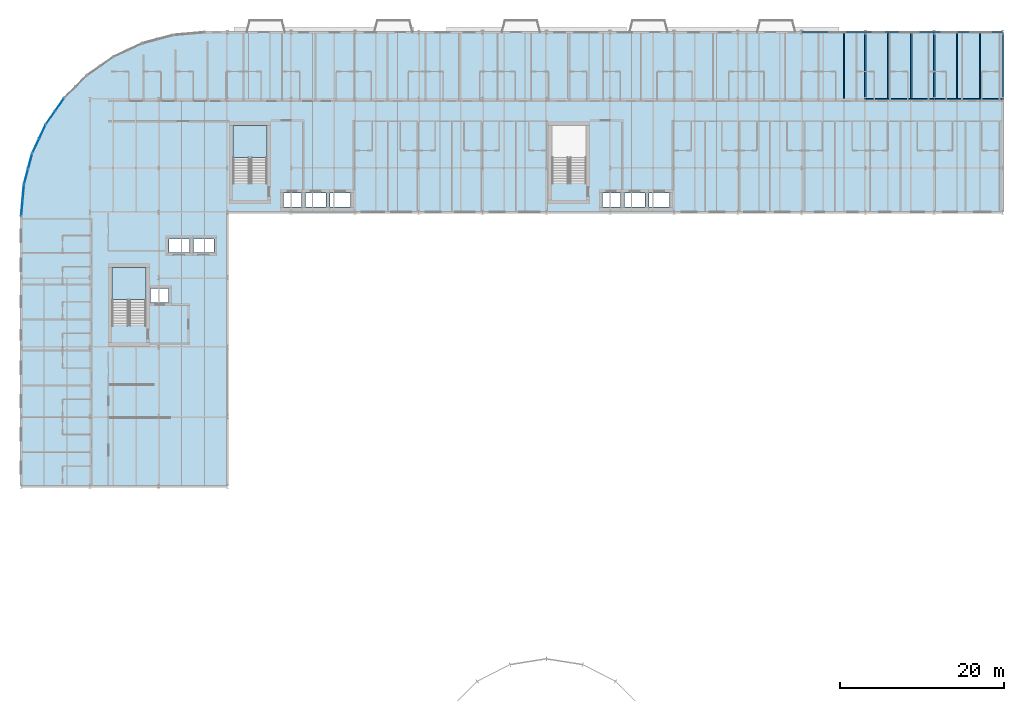
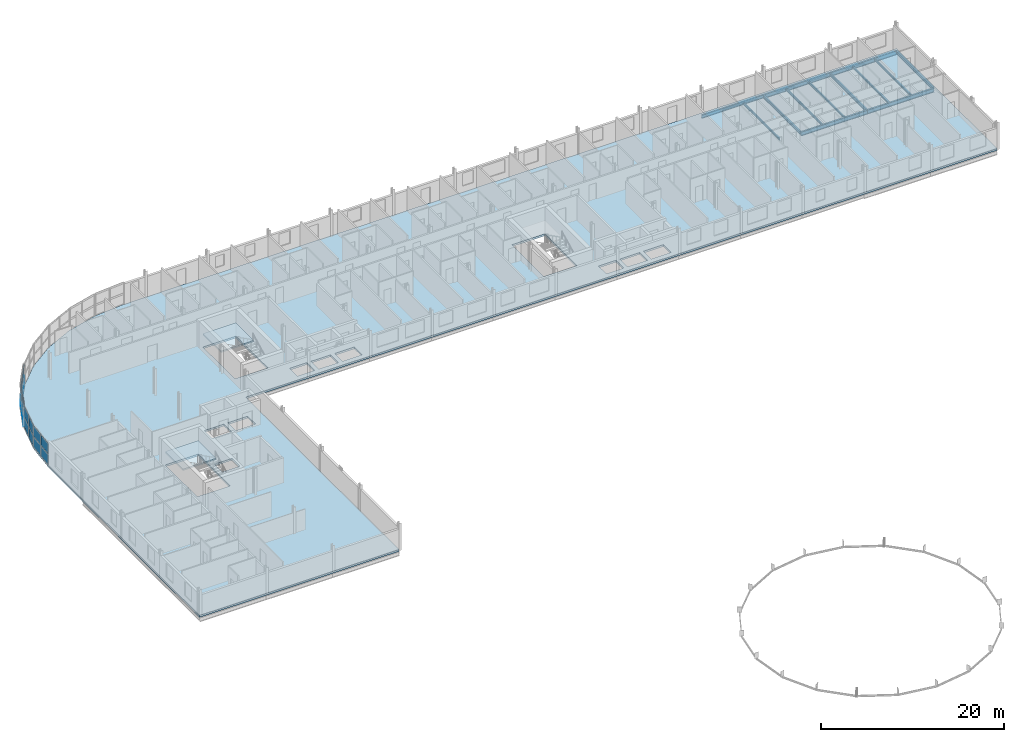
# One storey, part 14 of 36: 16 plates, 13 beams, 3 slabs, 6 elements without a shape of their own.
"""IFC4 building model written with IfcOpenShell, lengths in metres."""

from ifc_helpers import new_model, si_unit, direction, frame, origin, origin_2d, place, context, subcontext, project, spatial, polyline, rectangle, i_section, outline, extrude, material, layer, layer_set, material_profile, profile_set, type_object, element, aggregate, save


model = new_model("IFC4")

# Units and contexts
model_context = context("Model", 3, precision=1e-05, world=origin(), true_north=direction((0.0, 1.0)))
body_context = subcontext(model_context, "Body", "Model", "MODEL_VIEW")
ifc_project = project(units=[si_unit("LENGTHUNIT", "METRE"), si_unit("AREAUNIT", "SQUARE_METRE"), si_unit("VOLUMEUNIT", "CUBIC_METRE"), si_unit("PLANEANGLEUNIT", "RADIAN"), si_unit("MASSUNIT", "GRAM", prefix="KILO")], contexts=[model_context])

# Site, building, storey
site_placement = place(None, origin())
site = spatial("IfcSite", under=ifc_project, at=site_placement, CompositionType="ELEMENT")
building_placement = place(site_placement, origin())
building = spatial("IfcBuilding", under=site, at=building_placement, Name="Sefraquen Railside Congress Hotel", CompositionType="ELEMENT")
storey_placement = place(building_placement, frame((0.0, 0.0, 28.199951171875)))
storey = spatial("IfcBuildingStorey", under=building, at=storey_placement, Name="L06", CompositionType="ELEMENT", Elevation=28.199951171875)

# Beams
ifc_material_1 = material(Name="Steel S355JR", Category="steel")
ifc_material_profile_1 = material_profile(ifc_material_1, i_section(OverallWidth=0.179931640625, OverallDepth=0.39990234375, WebThickness=0.008544921875, FlangeThickness=0.013427734375, FilletRadius=0.02099609375, at=origin_2d()), Name="IPE 400")
ifc_profile_set_1 = profile_set([ifc_material_profile_1], Name="Steel S355JR")
beam_type_1 = type_object("IfcBeamType", Name="TB-BM-400I", PredefinedType="BEAM", material=ifc_profile_set_1)
for number, where, z_axis, x_axis, name in (
    (1, (103.199951171875, 109.800048828125, -0.4599609375), (0.0, 1.0, 0.0), (-1.0, 0.0, 0.0), "Floor beam BM-L06-1700"),
    (2, (111.60009765625, 109.800048828125, -0.4599609375), (0.0, 1.0, 0.0), (-1.0, 0.0, 0.0), "Floor beam BM-L06-1703"),
    (3, (120.0, 109.800048828125, -0.4599609375), (0.0, 1.0, 0.0), (-1.0, 0.0, 0.0), "Floor beam BM-L06-1706"),
):
    element("IfcBeam", number, at=place(storey_placement, frame(where, z_axis=z_axis, x_axis=x_axis)), inside=storey, type_object=beam_type_1, Name=name, PredefinedType="BEAM", context=body_context, shape_type="SweptSolid", body=[
        extrude(i_section(OverallWidth=0.179931640625, OverallDepth=0.39990234375, WebThickness=0.008544921875, FlangeThickness=0.013427734375, FilletRadius=0.02099609375, at=origin_2d()), origin(), (0.0, 0.0, 1.0), 8.199951171875),
    ])
ifc_material_profile_2 = material_profile(ifc_material_1, i_section(OverallWidth=0.18994140625, OverallDepth=0.449951171875, WebThickness=0.009521484375, FlangeThickness=0.0146484375, FilletRadius=0.02099609375, at=origin_2d()), Name="IPE 450")
ifc_profile_set_2 = profile_set([ifc_material_profile_2], Name="Steel S355JR")
beam_type_2 = type_object("IfcBeamType", Name="TB-BM-450", PredefinedType="BEAM", material=ifc_profile_set_2)
beam_1_placement = place(storey_placement, frame((95.39990234375, 118.0, -0.48486328125), z_axis=(1.0, 0.0, 0.0), x_axis=(0.0, 1.0, 0.0)))
element("IfcBeam", 4, at=beam_1_placement, inside=storey, type_object=beam_type_2, Name="Primary girder BM-L06-1646", PredefinedType="BEAM", context=body_context, shape_type="SweptSolid", body=[
    extrude(i_section(OverallWidth=0.18994140625, OverallDepth=0.449951171875, WebThickness=0.009521484375, FlangeThickness=0.0146484375, FilletRadius=0.02099609375, at=origin_2d()), origin(), (0.0, 0.0, 1.0), 7.800048828125),
])
ifc_material_profile_3 = material_profile(ifc_material_1, i_section(OverallWidth=0.2099609375, OverallDepth=0.550048828125, WebThickness=0.010986328125, FlangeThickness=0.01708984375, FilletRadius=0.02392578125, at=origin_2d()), Name="IPE 550")
ifc_profile_set_3 = profile_set([ifc_material_profile_3], Name="Steel S355JR")
beam_type_3 = type_object("IfcBeamType", Name="TB-GIR-550", PredefinedType="T_BEAM", material=ifc_profile_set_3)
beam_2_placement = place(storey_placement, frame((103.199951171875, 109.800048828125, -0.534912109375), z_axis=(1.0, 0.0, 0.0), x_axis=(0.0, 1.0, 0.0)))
element("IfcBeam", 5, at=beam_2_placement, inside=storey, type_object=beam_type_3, Name="Primary girder BM-L06-1635", PredefinedType="T_BEAM", context=body_context, shape_type="SweptSolid", body=[
    extrude(i_section(OverallWidth=0.2099609375, OverallDepth=0.550048828125, WebThickness=0.010986328125, FlangeThickness=0.01708984375, FilletRadius=0.02392578125, at=origin_2d()), origin(), (0.0, 0.0, 1.0), 8.400146484375),
])
beam_3_placement = place(storey_placement, frame((111.60009765625, 109.800048828125, -0.534912109375), z_axis=(1.0, 0.0, 0.0), x_axis=(0.0, 1.0, 0.0)))
element("IfcBeam", 6, at=beam_3_placement, inside=storey, type_object=beam_type_3, Name="Primary girder BM-L06-1636", PredefinedType="T_BEAM", context=body_context, shape_type="SweptSolid", body=[
    extrude(i_section(OverallWidth=0.2099609375, OverallDepth=0.550048828125, WebThickness=0.010986328125, FlangeThickness=0.01708984375, FilletRadius=0.02392578125, at=origin_2d()), origin(), (0.0, 0.0, 1.0), 8.39990234375),
])
beam_4_placement = place(storey_placement, frame((103.199951171875, 118.0, -0.534912109375), z_axis=(1.0, 0.0, 0.0), x_axis=(0.0, 1.0, 0.0)))
element("IfcBeam", 7, at=beam_4_placement, inside=storey, type_object=beam_type_3, Name="Primary girder BM-L06-1647", PredefinedType="T_BEAM", context=body_context, shape_type="SweptSolid", body=[
    extrude(i_section(OverallWidth=0.2099609375, OverallDepth=0.550048828125, WebThickness=0.010986328125, FlangeThickness=0.01708984375, FilletRadius=0.02392578125, at=origin_2d()), origin(), (0.0, 0.0, 1.0), 8.400146484375),
])
beam_5_placement = place(storey_placement, frame((111.60009765625, 118.0, -0.534912109375), z_axis=(1.0, 0.0, 0.0), x_axis=(0.0, 1.0, 0.0)))
element("IfcBeam", 8, at=beam_5_placement, inside=storey, type_object=beam_type_3, Name="Primary girder BM-L06-1648", PredefinedType="T_BEAM", context=body_context, shape_type="SweptSolid", body=[
    extrude(i_section(OverallWidth=0.2099609375, OverallDepth=0.550048828125, WebThickness=0.010986328125, FlangeThickness=0.01708984375, FilletRadius=0.02392578125, at=origin_2d()), origin(), (0.0, 0.0, 1.0), 8.39990234375),
])
ifc_material_profile_4 = material_profile(ifc_material_1, i_section(OverallWidth=0.14990234375, OverallDepth=0.300048828125, WebThickness=0.007080078125, FlangeThickness=0.0107421875, FilletRadius=0.014892578125, at=origin_2d()), Name="IPE 300")
ifc_profile_set_4 = profile_set([ifc_material_profile_4], Name="Steel S355JR")
beam_type_4 = type_object("IfcBeamType", Name="TB-JST-300", PredefinedType="JOIST", material=ifc_profile_set_4)
beam_6_placement = place(storey_placement, frame((100.60009765625, 109.875, -0.409912109375), z_axis=(0.0, 1.0, 0.0), x_axis=(-1.0, 0.0, 0.0)))
element("IfcBeam", 9, at=beam_6_placement, inside=storey, type_object=beam_type_4, Name="Composite floor joist BM-L06-J1131", PredefinedType="JOIST", context=body_context, shape_type="SweptSolid", body=[
    extrude(i_section(OverallWidth=0.14990234375, OverallDepth=0.300048828125, WebThickness=0.007080078125, FlangeThickness=0.0107421875, FilletRadius=0.014892578125, at=origin_2d()), origin(), (0.0, 0.0, 1.0), 8.050048828125),
])
for number, where, z_axis, x_axis, name in (
    (10, (106.0, 109.885009765625, -0.409912109375), (0.0, 1.0, 0.0), (-1.0, 0.0, 0.0), "Composite floor joist BM-L06-J1136"),
    (11, (108.800048828125, 109.885009765625, -0.409912109375), (0.0, 1.0, 0.0), (-1.0, 0.0, 0.0), "Composite floor joist BM-L06-J1137"),
    (12, (114.39990234375, 109.885009765625, -0.409912109375), (0.0, 1.0, 0.0), (-1.0, 0.0, 0.0), "Composite floor joist BM-L06-J1142"),
    (13, (117.199951171875, 109.885009765625, -0.409912109375), (0.0, 1.0, 0.0), (-1.0, 0.0, 0.0), "Composite floor joist BM-L06-J1143"),
):
    element("IfcBeam", number, at=place(storey_placement, frame(where, z_axis=z_axis, x_axis=x_axis)), inside=storey, type_object=beam_type_4, Name=name, PredefinedType="JOIST", context=body_context, shape_type="SweptSolid", body=[
        extrude(i_section(OverallWidth=0.14990234375, OverallDepth=0.300048828125, WebThickness=0.007080078125, FlangeThickness=0.0107421875, FilletRadius=0.014892578125, at=origin_2d()), origin(), (0.0, 0.0, 1.0), 8.030029296875),
    ])

# Curtain wall, plates
ifc_material_2 = material(Name="Thermally broken anodised aluminium and low-E double glazing", Category="aluminium")
ifc_layer_1 = layer(ifc_material_2, 0.199951171875)
ifc_layer_set_1 = layer_set([ifc_layer_1], Name="Thermally broken anodised aluminium and low-E double glazing")
curtain_wall_type_1 = type_object("IfcCurtainWallType", Name="TCW-UCW-28", PredefinedType="USERDEFINED", material=ifc_layer_set_1)
curtain_wall_1_placement = place(storey_placement, origin())
curtain_wall_1 = element("IfcCurtainWall", 14, at=curtain_wall_1_placement, inside=storey, type_object=curtain_wall_type_1, Name="Rotunda L06 curved curtain wall facet 6", ObjectType="UNITISED CURTAIN WALL", PredefinedType="USERDEFINED")
ifc_material_3 = material(Name="Solar-control low-E double glazing", Category="glass")
ifc_layer_2 = layer(ifc_material_3, 0.02392578125)
ifc_layer_set_2 = layer_set([ifc_layer_2], Name="Solar-control low-E double glazing")
plate_type_1 = type_object("IfcPlateType", Name="TP-CWP-01", PredefinedType="CURTAIN_PANEL", material=ifc_layer_set_2)
plate_1_placement = place(storey_placement, frame((4.690185546875, 109.14306640625, 0.0400390625), z_axis=(0.0, 0.0, 1.0), x_axis=(-0.573605029802, -0.819132022195, 0.0)))
plate_1 = element("IfcPlate", 15, at=plate_1_placement, type_object=plate_type_1, Name="CW-L06-ROT-06 panel 1.1", PredefinedType="CURTAIN_PANEL", context=body_context, shape_type="SweptSolid", body=[
    extrude(rectangle(XDim=1.8310546875, YDim=0.02392578125, at=origin_2d()), origin(), (0.0, 0.0, 1.0), 1.375),
])
plate_2_placement = place(storey_placement, frame((3.58837890625, 107.569580078125, 0.0400390625), z_axis=(0.0, 0.0, 1.0), x_axis=(-0.573605029802, -0.819132022195, 0.0)))
plate_2 = element("IfcPlate", 16, at=plate_2_placement, type_object=plate_type_1, Name="CW-L06-ROT-06 panel 1.2", PredefinedType="CURTAIN_PANEL", context=body_context, shape_type="SweptSolid", body=[
    extrude(rectangle(XDim=1.8310546875, YDim=0.02392578125, at=origin_2d()), origin(), (0.0, 0.0, 1.0), 1.375),
])

ifc_layer_3 = layer(ifc_material_2, 0.199951171875)
ifc_layer_set_3 = layer_set([ifc_layer_3], Name="Thermally broken anodised aluminium and low-E double glazing")
curtain_wall_type_2 = type_object("IfcCurtainWallType", Name="TCW-UCW-29", PredefinedType="USERDEFINED", material=ifc_layer_set_3)
curtain_wall_2_placement = place(storey_placement, origin())
curtain_wall_2 = element("IfcCurtainWall", 17, at=curtain_wall_2_placement, inside=storey, type_object=curtain_wall_type_2, Name="Rotunda L06 curved curtain wall facet 7", ObjectType="UNITISED CURTAIN WALL", PredefinedType="USERDEFINED")
plate_3_placement = place(storey_placement, frame((2.591552734375, 105.84326171875, 0.0400390625), z_axis=(0.0, 0.0, 1.0), x_axis=(-0.422634079731, -0.906300410818, 0.0)))
plate_3 = element("IfcPlate", 18, at=plate_3_placement, type_object=plate_type_1, Name="CW-L06-ROT-07 panel 1.1", PredefinedType="CURTAIN_PANEL", context=body_context, shape_type="SweptSolid", body=[
    extrude(rectangle(XDim=1.830810546875, YDim=0.02392578125, at=origin_2d()), origin(), (0.0, 0.0, 1.0), 1.375),
])
plate_4_placement = place(storey_placement, frame((1.77978515625, 104.102294921875, 0.0400390625), z_axis=(0.0, 0.0, 1.0), x_axis=(-0.422634079731, -0.906300410818, 0.0)))
plate_4 = element("IfcPlate", 19, at=plate_4_placement, type_object=plate_type_1, Name="CW-L06-ROT-07 panel 1.2", PredefinedType="CURTAIN_PANEL", context=body_context, shape_type="SweptSolid", body=[
    extrude(rectangle(XDim=1.830810546875, YDim=0.02392578125, at=origin_2d()), origin(), (0.0, 0.0, 1.0), 1.375),
])

ifc_layer_4 = layer(ifc_material_2, 0.199951171875)
ifc_layer_set_4 = layer_set([ifc_layer_4], Name="Thermally broken anodised aluminium and low-E double glazing")
curtain_wall_type_3 = type_object("IfcCurtainWallType", Name="TCW-UCW-30", PredefinedType="USERDEFINED", material=ifc_layer_set_4)
curtain_wall_3_placement = place(storey_placement, origin())
curtain_wall_3 = element("IfcCurtainWall", 20, at=curtain_wall_3_placement, inside=storey, type_object=curtain_wall_type_3, Name="Rotunda L06 curved curtain wall facet 8", ObjectType="UNITISED CURTAIN WALL", PredefinedType="USERDEFINED")
plate_5_placement = place(storey_placement, frame((1.097900390625, 102.22900390625, 0.0400390625), z_axis=(0.0, 0.0, 1.0), x_axis=(-0.258785327773, -0.96593486019, 0.0)))
plate_5 = element("IfcPlate", 21, at=plate_5_placement, type_object=plate_type_1, Name="CW-L06-ROT-08 panel 1.1", PredefinedType="CURTAIN_PANEL", context=body_context, shape_type="SweptSolid", body=[
    extrude(rectangle(XDim=1.8310546875, YDim=0.02392578125, at=origin_2d()), origin(), (0.0, 0.0, 1.0), 1.375),
])
plate_6_placement = place(storey_placement, frame((0.6005859375, 100.37353515625, 0.0400390625), z_axis=(0.0, 0.0, 1.0), x_axis=(-0.258785327773, -0.96593486019, 0.0)))
plate_6 = element("IfcPlate", 22, at=plate_6_placement, type_object=plate_type_1, Name="CW-L06-ROT-08 panel 1.2", PredefinedType="CURTAIN_PANEL", context=body_context, shape_type="SweptSolid", body=[
    extrude(rectangle(XDim=1.8310546875, YDim=0.02392578125, at=origin_2d()), origin(), (0.0, 0.0, 1.0), 1.375),
])

ifc_layer_5 = layer(ifc_material_2, 0.199951171875)
ifc_layer_set_5 = layer_set([ifc_layer_5], Name="Thermally broken anodised aluminium and low-E double glazing")
curtain_wall_type_4 = type_object("IfcCurtainWallType", Name="TCW-UCW-31", PredefinedType="USERDEFINED", material=ifc_layer_set_5)
curtain_wall_4_placement = place(storey_placement, origin())
curtain_wall_4 = element("IfcCurtainWall", 23, at=curtain_wall_4_placement, inside=storey, type_object=curtain_wall_type_4, Name="Rotunda L06 curved curtain wall facet 9", ObjectType="UNITISED CURTAIN WALL", PredefinedType="USERDEFINED")
plate_7_placement = place(storey_placement, frame((0.254638671875, 98.410400390625, 0.0400390625), z_axis=(0.0, 0.0, 1.0), x_axis=(-0.087138355857, -0.996196219095, 0.0)))
plate_7 = element("IfcPlate", 24, at=plate_7_placement, type_object=plate_type_1, Name="CW-L06-ROT-09 panel 1.1", PredefinedType="CURTAIN_PANEL", context=body_context, shape_type="SweptSolid", body=[
    extrude(rectangle(XDim=1.8310546875, YDim=0.02392578125, at=origin_2d()), origin(), (0.0, 0.0, 1.0), 1.375),
])
plate_8_placement = place(storey_placement, frame((0.087158203125, 96.49658203125, 0.0400390625), z_axis=(0.0, 0.0, 1.0), x_axis=(-0.087138355857, -0.996196219095, 0.0)))
plate_8 = element("IfcPlate", 25, at=plate_8_placement, type_object=plate_type_1, Name="CW-L06-ROT-09 panel 1.2", PredefinedType="CURTAIN_PANEL", context=body_context, shape_type="SweptSolid", body=[
    extrude(rectangle(XDim=1.8310546875, YDim=0.02392578125, at=origin_2d()), origin(), (0.0, 0.0, 1.0), 1.375),
])

# Plate
ifc_material_4 = material(Name="Triple acoustic solar-control glazing", Category="glass")
ifc_layer_6 = layer(ifc_material_4, 0.031982421875)
ifc_layer_set_6 = layer_set([ifc_layer_6], Name="Triple acoustic solar-control glazing")
plate_type_2 = type_object("IfcPlateType", Name="TP-CWP-02", PredefinedType="CURTAIN_PANEL", material=ifc_layer_set_6)
plate_9_placement = place(storey_placement, frame((4.690185546875, 109.14306640625, 1.4951171875), z_axis=(0.0, 0.0, 1.0), x_axis=(-0.573605029802, -0.819132022195, 0.0)))
plate_9 = element("IfcPlate", 26, at=plate_9_placement, type_object=plate_type_2, Name="CW-L06-ROT-06 panel 2.1", PredefinedType="CURTAIN_PANEL", context=body_context, shape_type="SweptSolid", body=[
    extrude(rectangle(XDim=1.8310546875, YDim=0.031982421875, at=origin_2d()), origin(), (0.0, 0.0, 1.0), 1.375),
])

plate_10_placement = place(storey_placement, frame((3.58837890625, 107.569580078125, 1.4951171875), z_axis=(0.0, 0.0, 1.0), x_axis=(-0.573605029802, -0.819132022195, 0.0)))
plate_10 = element("IfcPlate", 27, at=plate_10_placement, type_object=plate_type_2, Name="CW-L06-ROT-06 panel 2.2", PredefinedType="CURTAIN_PANEL", context=body_context, shape_type="SweptSolid", body=[
    extrude(rectangle(XDim=1.8310546875, YDim=0.031982421875, at=origin_2d()), origin(), (0.0, 0.0, 1.0), 1.375),
])

aggregate(curtain_wall_1, [plate_1, plate_2, plate_9, plate_10])

plate_11_placement = place(storey_placement, frame((2.591552734375, 105.84326171875, 1.4951171875), z_axis=(0.0, 0.0, 1.0), x_axis=(-0.422634079731, -0.906300410818, 0.0)))
plate_11 = element("IfcPlate", 28, at=plate_11_placement, type_object=plate_type_2, Name="CW-L06-ROT-07 panel 2.1", PredefinedType="CURTAIN_PANEL", context=body_context, shape_type="SweptSolid", body=[
    extrude(rectangle(XDim=1.830810546875, YDim=0.031982421875, at=origin_2d()), origin(), (0.0, 0.0, 1.0), 1.375),
])

plate_12_placement = place(storey_placement, frame((1.77978515625, 104.102294921875, 1.4951171875), z_axis=(0.0, 0.0, 1.0), x_axis=(-0.422634079731, -0.906300410818, 0.0)))
plate_12 = element("IfcPlate", 29, at=plate_12_placement, type_object=plate_type_2, Name="CW-L06-ROT-07 panel 2.2", PredefinedType="CURTAIN_PANEL", context=body_context, shape_type="SweptSolid", body=[
    extrude(rectangle(XDim=1.830810546875, YDim=0.031982421875, at=origin_2d()), origin(), (0.0, 0.0, 1.0), 1.375),
])

aggregate(curtain_wall_2, [plate_3, plate_4, plate_11, plate_12])

plate_13_placement = place(storey_placement, frame((1.097900390625, 102.22900390625, 1.4951171875), z_axis=(0.0, 0.0, 1.0), x_axis=(-0.258785327773, -0.96593486019, 0.0)))
plate_13 = element("IfcPlate", 30, at=plate_13_placement, type_object=plate_type_2, Name="CW-L06-ROT-08 panel 2.1", PredefinedType="CURTAIN_PANEL", context=body_context, shape_type="SweptSolid", body=[
    extrude(rectangle(XDim=1.8310546875, YDim=0.031982421875, at=origin_2d()), origin(), (0.0, 0.0, 1.0), 1.375),
])

plate_14_placement = place(storey_placement, frame((0.6005859375, 100.37353515625, 1.4951171875), z_axis=(0.0, 0.0, 1.0), x_axis=(-0.258785327773, -0.96593486019, 0.0)))
plate_14 = element("IfcPlate", 31, at=plate_14_placement, type_object=plate_type_2, Name="CW-L06-ROT-08 panel 2.2", PredefinedType="CURTAIN_PANEL", context=body_context, shape_type="SweptSolid", body=[
    extrude(rectangle(XDim=1.8310546875, YDim=0.031982421875, at=origin_2d()), origin(), (0.0, 0.0, 1.0), 1.375),
])

aggregate(curtain_wall_3, [plate_5, plate_6, plate_13, plate_14])

plate_15_placement = place(storey_placement, frame((0.254638671875, 98.410400390625, 1.4951171875), z_axis=(0.0, 0.0, 1.0), x_axis=(-0.087138355857, -0.996196219095, 0.0)))
plate_15 = element("IfcPlate", 32, at=plate_15_placement, type_object=plate_type_2, Name="CW-L06-ROT-09 panel 2.1", PredefinedType="CURTAIN_PANEL", context=body_context, shape_type="SweptSolid", body=[
    extrude(rectangle(XDim=1.8310546875, YDim=0.031982421875, at=origin_2d()), origin(), (0.0, 0.0, 1.0), 1.375),
])

plate_16_placement = place(storey_placement, frame((0.087158203125, 96.49658203125, 1.4951171875), z_axis=(0.0, 0.0, 1.0), x_axis=(-0.087138355857, -0.996196219095, 0.0)))
plate_16 = element("IfcPlate", 33, at=plate_16_placement, type_object=plate_type_2, Name="CW-L06-ROT-09 panel 2.2", PredefinedType="CURTAIN_PANEL", context=body_context, shape_type="SweptSolid", body=[
    extrude(rectangle(XDim=1.8310546875, YDim=0.031982421875, at=origin_2d()), origin(), (0.0, 0.0, 1.0), 1.375),
])

aggregate(curtain_wall_4, [plate_7, plate_8, plate_15, plate_16])

# Slab
ifc_material_5 = material(Name="Concrete C40/50", Category="concrete")
ifc_layer_7 = layer(ifc_material_5, 0.260009765625)
ifc_layer_set_7 = layer_set([ifc_layer_7], Name="Concrete C40/50")
slab_type_1 = type_object("IfcSlabType", Name="TS-FS-260", PredefinedType="FLOOR", material=ifc_layer_set_7)
slab_1_placement = place(storey_placement, frame((0.0, 0.0, -0.260009765625)))
element("IfcSlab", 34, at=slab_1_placement, inside=storey, type_object=slab_type_1, Name="Hotel Wing L06 floor slab", PredefinedType="FLOOR", context=body_context, shape_type="SweptSolid", body=[
    extrude(outline(polyline([(0.0, 62.5), (25.199951171875, 62.5), (25.199951171875, 96.0), (120.0, 96.0), (120.0, 118.0), (22.5, 118.0), (18.593017578125, 117.658203125), (14.804443359375, 116.64306640625), (11.25, 114.985595703125), (8.037353515625, 112.736083984375), (5.263916015625, 109.962646484375), (3.014404296875, 106.75), (1.35693359375, 103.195556640625), (0.341796875, 99.406982421875), (0.0, 95.5), (0.0, 62.5)]), holes=[polyline([(11.10009765625, 82.219970703125), (15.260009765625, 82.219970703125), (15.260009765625, 89.2119140625), (11.10009765625, 89.2119140625), (11.10009765625, 82.219970703125)]), polyline([(25.89990234375, 99.6201171875), (30.06005859375, 99.6201171875), (30.06005859375, 106.612060546875), (25.89990234375, 106.612060546875), (25.89990234375, 99.6201171875)]), polyline([(64.89990234375, 99.6201171875), (69.06005859375, 99.6201171875), (69.06005859375, 106.612060546875), (64.89990234375, 106.612060546875), (64.89990234375, 99.6201171875)]), polyline([(15.830078125, 84.949951171875), (18.030029296875, 84.949951171875), (18.030029296875, 86.64990234375), (15.830078125, 86.64990234375), (15.830078125, 84.949951171875)]), polyline([(32.06005859375, 96.64990234375), (34.260009765625, 96.64990234375), (34.260009765625, 98.35009765625), (32.06005859375, 98.35009765625), (32.06005859375, 96.64990234375)]), polyline([(71.06005859375, 96.64990234375), (73.260009765625, 96.64990234375), (73.260009765625, 98.35009765625), (71.06005859375, 98.35009765625), (71.06005859375, 96.64990234375)]), polyline([(18.050048828125, 91.050048828125), (20.550048828125, 91.050048828125), (20.550048828125, 92.75), (18.050048828125, 92.75), (18.050048828125, 91.050048828125)]), polyline([(21.0400390625, 91.050048828125), (23.5400390625, 91.050048828125), (23.5400390625, 92.75), (21.0400390625, 92.75), (21.0400390625, 91.050048828125)]), polyline([(34.75, 96.64990234375), (37.25, 96.64990234375), (37.25, 98.35009765625), (34.75, 98.35009765625), (34.75, 96.64990234375)]), polyline([(37.739990234375, 96.64990234375), (40.239990234375, 96.64990234375), (40.239990234375, 98.35009765625), (37.739990234375, 98.35009765625), (37.739990234375, 96.64990234375)]), polyline([(73.75, 96.64990234375), (76.25, 96.64990234375), (76.25, 98.35009765625), (73.75, 98.35009765625), (73.75, 96.64990234375)]), polyline([(76.739990234375, 96.64990234375), (79.239990234375, 96.64990234375), (79.239990234375, 98.35009765625), (76.739990234375, 98.35009765625), (76.739990234375, 96.64990234375)])]), origin(), (0.0, 0.0, 1.0), 0.260009765625),
])

# Stair, slab
stair_type_1 = type_object("IfcStairType", Name="TST-DOG-198-360", PredefinedType="HALF_TURN_STAIR", material=ifc_material_5)
stair_1_placement = place(storey_placement, origin())
stair_1 = element("IfcStair", 35, at=stair_1_placement, inside=storey, type_object=stair_type_1, Name="L06 Pressurized escape stair ST-H01", PredefinedType="HALF_TURN_STAIR")
ifc_layer_8 = layer(ifc_material_5, 0.199951171875)
ifc_layer_set_8 = layer_set([ifc_layer_8], Name="Concrete C40/50")
slab_type_2 = type_object("IfcSlabType", Name="TS-LD-200", PredefinedType="LANDING", material=ifc_layer_set_8)
slab_2_placement = place(storey_placement, frame((0.0, 0.0, 1.60009765625)))
slab_2 = element("IfcSlab", 36, at=slab_2_placement, type_object=slab_type_2, Name="ST-H01 landing 1", PredefinedType="LANDING", context=body_context, shape_type="SweptSolid", body=[
    extrude(outline(polyline([(15.260009765625, 85.300048828125), (15.260009765625, 89.2119140625), (11.10009765625, 89.2119140625), (11.10009765625, 85.300048828125), (15.260009765625, 85.300048828125)])), origin(), (0.0, 0.0, 1.0), 0.199951171875),
])
aggregate(stair_1, [slab_2])

stair_type_2 = type_object("IfcStairType", Name="TST-DOG-198-420", PredefinedType="HALF_TURN_STAIR", material=ifc_material_5)
stair_2_placement = place(storey_placement, origin())
stair_2 = element("IfcStair", 37, at=stair_2_placement, inside=storey, type_object=stair_type_2, Name="L06 Pressurized escape stair ST-H02", PredefinedType="HALF_TURN_STAIR")
slab_3_placement = place(storey_placement, frame((0.0, 0.0, 1.60009765625)))
slab_3 = element("IfcSlab", 38, at=slab_3_placement, type_object=slab_type_2, Name="ST-H02 landing 1", PredefinedType="LANDING", context=body_context, shape_type="SweptSolid", body=[
    extrude(outline(polyline([(30.06005859375, 102.699951171875), (30.06005859375, 106.612060546875), (25.89990234375, 106.612060546875), (25.89990234375, 102.699951171875), (30.06005859375, 102.699951171875)])), origin(), (0.0, 0.0, 1.0), 0.199951171875),
])
aggregate(stair_2, [slab_3])

save(model, "model.ifc")
